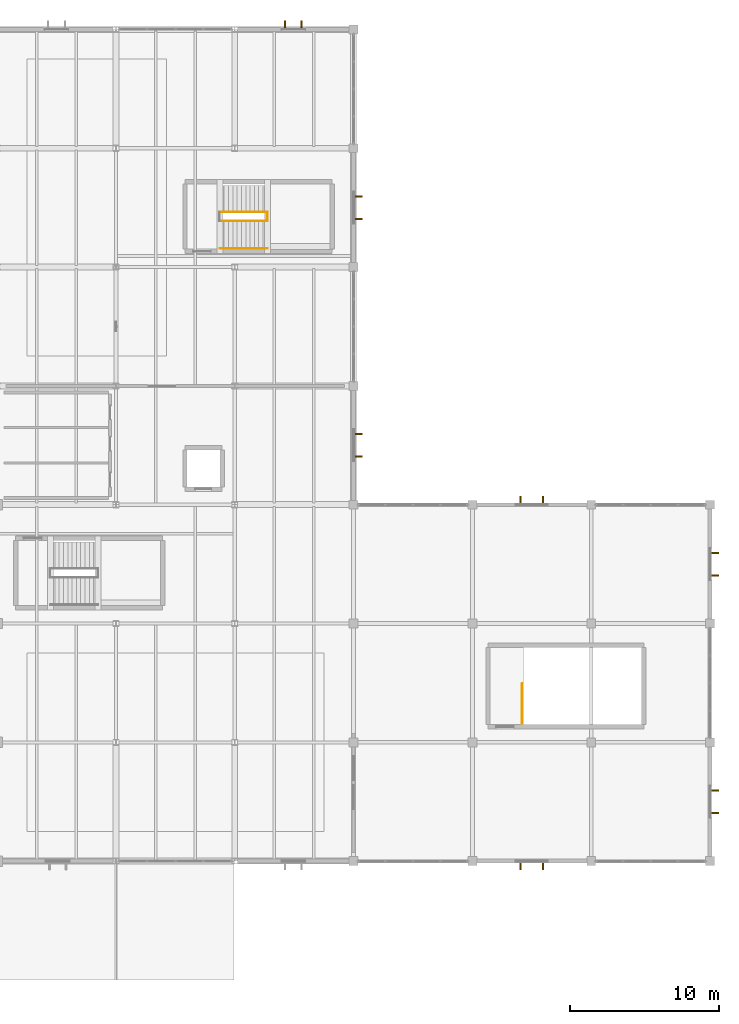
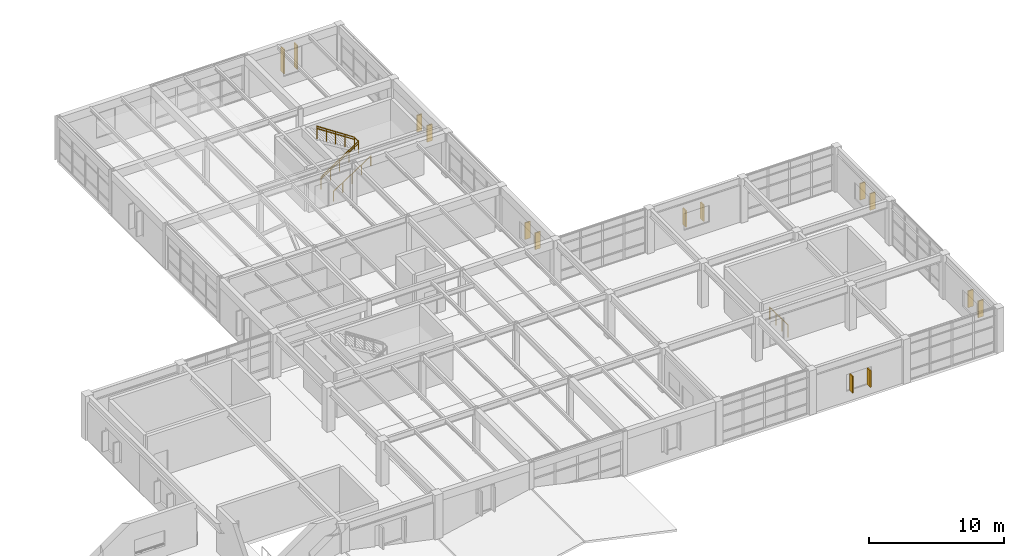
# One storey, part 48 of 48: 14 shading devices, 6 railings.
"""IFC4 building model written with IfcOpenShell, lengths in metres."""

from ifc_helpers import new_model, si_unit, direction, frame, origin, origin_2d, place, context, subcontext, project, spatial, rectangle, circle, extrude, material, type_object, element, save


model = new_model("IFC4")

# Units and contexts
model_context = context("Model", 3, precision=1e-05, world=origin(), true_north=direction((0.0, 1.0)))
body_context = subcontext(model_context, "Body", "Model", "MODEL_VIEW")
ifc_project = project(units=[si_unit("LENGTHUNIT", "METRE"), si_unit("AREAUNIT", "SQUARE_METRE"), si_unit("VOLUMEUNIT", "CUBIC_METRE"), si_unit("PLANEANGLEUNIT", "RADIAN"), si_unit("MASSUNIT", "GRAM", prefix="KILO")], contexts=[model_context])

# Site, building, storey
site_placement = place(None, origin())
site = spatial("IfcSite", under=ifc_project, at=site_placement, CompositionType="ELEMENT")
building_placement = place(site_placement, origin())
building = spatial("IfcBuilding", under=site, at=building_placement, Name="Varnela Railside Interchange", CompositionType="ELEMENT")
storey_placement = place(building_placement, frame((0.0, 0.0, 11.199951171875)))
storey = spatial("IfcBuildingStorey", under=building, at=storey_placement, Name="L02", CompositionType="ELEMENT", Elevation=11.199951171875)

# Railings
ifc_material_1 = material(Name="Steel AR 350 (350 MPa)", Category="steel")
railing_type_1 = type_object("IfcRailingType", Name="Stair & Ramp Pitch Handrail HR-01", PredefinedType="HANDRAIL", material=ifc_material_1)
railing_1_placement = place(storey_placement, frame((131.0, 81.10009765625, 0.0)))
element("IfcRailing", 1, at=railing_1_placement, inside=storey, type_object=railing_type_1, Name="Stair Handrail ST-E2 Flight 1 (RL-0358)", PredefinedType="HANDRAIL", context=body_context, shape_type="SweptSolid", body=[
    extrude(circle(Radius=0.02392578125, at=origin_2d()), frame((0.0, 0.0, 0.89599609375), z_axis=(0.835242474824, 0.0, 0.549881812983), x_axis=(0.0, 1.0, 0.0)), (0.0, 0.0, 1.0), 3.819091796875),
    extrude(circle(Radius=0.02099609375, at=origin_2d()), origin(), (0.0, 0.0, 1.0), 0.871826171875),
    extrude(circle(Radius=0.02099609375, at=origin_2d()), frame((0.79736328125, 0.0, 0.52490234375)), (0.0, 0.0, 1.0), 0.871826171875),
    extrude(circle(Radius=0.02099609375, at=origin_2d()), frame((1.594970703125, 0.0, 1.050048828125)), (0.0, 0.0, 1.0), 0.871826171875),
    extrude(circle(Radius=0.02099609375, at=origin_2d()), frame((2.392578125, 0.0, 1.5751953125)), (0.0, 0.0, 1.0), 0.871826171875),
    extrude(circle(Radius=0.02099609375, at=origin_2d()), frame((3.18994140625, 0.0, 2.10009765625)), (0.0, 0.0, 1.0), 0.871826171875),
])
railing_2_placement = place(storey_placement, frame((134.18994140625, 81.699951171875, 2.10009765625)))
element("IfcRailing", 2, at=railing_2_placement, inside=storey, type_object=railing_type_1, Name="Stair Handrail ST-E2 Flight 2 (RL-0359)", PredefinedType="HANDRAIL", context=body_context, shape_type="SweptSolid", body=[
    extrude(circle(Radius=0.02392578125, at=origin_2d()), frame((0.0, 0.0, 0.89599609375), z_axis=(-0.835271834381, 0.0, 0.549837214719), x_axis=(0.0, -1.0, 0.0)), (0.0, 0.0, 1.0), 3.819091796875),
    extrude(circle(Radius=0.02099609375, at=origin_2d()), origin(), (0.0, 0.0, 1.0), 0.871826171875),
    extrude(circle(Radius=0.02099609375, at=origin_2d()), frame((-0.79736328125, 0.0, 0.52490234375)), (0.0, 0.0, 1.0), 0.871826171875),
    extrude(circle(Radius=0.02099609375, at=origin_2d()), frame((-1.594970703125, 0.0, 1.0498046875)), (0.0, 0.0, 1.0), 0.871826171875),
    extrude(circle(Radius=0.02099609375, at=origin_2d()), frame((-2.392578125, 0.0, 1.574951171875)), (0.0, 0.0, 1.0), 0.871826171875),
    extrude(circle(Radius=0.02099609375, at=origin_2d()), frame((-3.18994140625, 0.0, 2.099853515625)), (0.0, 0.0, 1.0), 0.871826171875),
])
railing_type_2 = type_object("IfcRailingType", Name="Stair Well & Landing Guard GR-02", PredefinedType="GUARDRAIL", material=ifc_material_1)
railing_3_placement = place(storey_placement, frame((131.0, 81.10009765625, 0.0)))
element("IfcRailing", 3, at=railing_3_placement, inside=storey, type_object=railing_type_2, Name="Stair Guard ST-E2 Half-Landing (RL-0337)", PredefinedType="GUARDRAIL", context=body_context, shape_type="SweptSolid", body=[
    extrude(circle(Radius=0.02392578125, at=origin_2d()), frame((0.0, 0.0, 1.09619140625), z_axis=(0.835242474824, 0.0, 0.549881812983), x_axis=(0.0, 1.0, 0.0)), (0.0, 0.0, 1.0), 3.819091796875),
    extrude(circle(Radius=0.02392578125, at=origin_2d()), frame((3.18994140625, 0.0, 3.1962890625), z_axis=(0.0, 1.0, 0.0), x_axis=(-1.0, 0.0, 0.0)), (0.0, 0.0, 1.0), 0.599853515625),
    extrude(circle(Radius=0.02099609375, at=origin_2d()), origin(), (0.0, 0.0, 1.0), 1.072021484375),
    extrude(circle(Radius=0.02099609375, at=origin_2d()), frame((0.79736328125, 0.0, 0.52490234375)), (0.0, 0.0, 1.0), 1.072021484375),
    extrude(circle(Radius=0.02099609375, at=origin_2d()), frame((1.594970703125, 0.0, 1.050048828125)), (0.0, 0.0, 1.0), 1.072021484375),
    extrude(circle(Radius=0.02099609375, at=origin_2d()), frame((2.392578125, 0.0, 1.5751953125)), (0.0, 0.0, 1.0), 1.072021484375),
    extrude(circle(Radius=0.02099609375, at=origin_2d()), frame((3.18994140625, 0.0, 2.10009765625)), (0.0, 0.0, 1.0), 1.072021484375),
    extrude(circle(Radius=0.02099609375, at=origin_2d()), frame((3.18994140625, 0.599853515625, 2.10009765625)), (0.0, 0.0, 1.0), 1.072021484375),
])
railing_4_placement = place(storey_placement, frame((134.18994140625, 81.699951171875, 2.10009765625)))
element("IfcRailing", 4, at=railing_4_placement, inside=storey, type_object=railing_type_2, Name="Stair Guard ST-E2 Upper Flight (RL-0338)", PredefinedType="GUARDRAIL", context=body_context, shape_type="SweptSolid", body=[
    extrude(circle(Radius=0.02392578125, at=origin_2d()), frame((0.0, 0.0, 1.09619140625), z_axis=(-0.835271834381, 0.0, 0.549837214719), x_axis=(0.0, -1.0, 0.0)), (0.0, 0.0, 1.0), 3.819091796875),
    extrude(circle(Radius=0.02099609375, at=origin_2d()), origin(), (0.0, 0.0, 1.0), 1.072021484375),
    extrude(circle(Radius=0.02099609375, at=origin_2d()), frame((-0.79736328125, 0.0, 0.52490234375)), (0.0, 0.0, 1.0), 1.072021484375),
    extrude(circle(Radius=0.02099609375, at=origin_2d()), frame((-1.594970703125, 0.0, 1.0498046875)), (0.0, 0.0, 1.0), 1.072021484375),
    extrude(circle(Radius=0.02099609375, at=origin_2d()), frame((-2.392578125, 0.0, 1.574951171875)), (0.0, 0.0, 1.0), 1.072021484375),
    extrude(circle(Radius=0.02099609375, at=origin_2d()), frame((-3.18994140625, 0.0, 2.099853515625)), (0.0, 0.0, 1.0), 1.072021484375),
])
railing_5_placement = place(storey_placement, frame((151.360107421875, 47.260009765625, 0.0)))
element("IfcRailing", 5, at=railing_5_placement, inside=storey, type_object=railing_type_2, Name="Stair Well Arrival Guard ST-E3 on L02 (RL-0340)", PredefinedType="GUARDRAIL", context=body_context, shape_type="SweptSolid", body=[
    extrude(circle(Radius=0.02392578125, at=origin_2d()), frame((0.0, 0.0, 1.09619140625), z_axis=(0.0, 1.0, 0.0), x_axis=(-1.0, 0.0, 0.0)), (0.0, 0.0, 1.0), 2.68994140625),
    extrude(circle(Radius=0.02099609375, at=origin_2d()), origin(), (0.0, 0.0, 1.0), 1.072021484375),
    extrude(circle(Radius=0.02099609375, at=origin_2d()), frame((0.0, 0.896728515625, 0.0)), (0.0, 0.0, 1.0), 1.072021484375),
    extrude(circle(Radius=0.02099609375, at=origin_2d()), frame((0.0, 1.793212890625, 0.0)), (0.0, 0.0, 1.0), 1.072021484375),
    extrude(circle(Radius=0.02099609375, at=origin_2d()), frame((0.0, 2.68994140625, 0.0)), (0.0, 0.0, 1.0), 1.072021484375),
])

# Shading devices
ifc_material_2 = material(Name="Concrete C40 precast", Category="concrete")
shading_device_type = type_object("IfcShadingDeviceType", Name="Terracotta Vertical Sun Fin BS-02", PredefinedType="USERDEFINED", material=ifc_material_2)
for number, where, z_axis, x_axis, name in (
    (6, (135.388427734375, 94.35009765625, 0.9501953125), (0.0, 0.0, 1.0), (0.0, 1.0, 0.0), "Terracotta Vertical Sun Fin BS-02 (L02)"),
    (7, (136.508544921875, 94.35009765625, 0.9501953125), (0.0, 0.0, 1.0), (0.0, 1.0, 0.0), "Terracotta Vertical Sun Fin BS-02 (L02)"),
):
    element("IfcShadingDevice", number, at=place(storey_placement, frame(where, z_axis=z_axis, x_axis=x_axis)), inside=storey, type_object=shading_device_type, Name=name, ObjectType="FIN", PredefinedType="USERDEFINED", context=body_context, shape_type="SweptSolid", body=[
        extrude(rectangle(XDim=0.449951171875, YDim=0.10009765625, at=origin_2d()), origin(), (0.0, 0.0, 1.0), 2.199951171875),
    ])
for number, where, z_axis, x_axis, name in (
    (8, (140.35009765625, 82.75244140625, 0.949951171875), (0.0, 0.0, 1.0), (1.0, 0.0, 0.0), "Terracotta Vertical Sun Fin BS-02 (L02)"),
    (9, (140.35009765625, 81.24755859375, 0.949951171875), (0.0, 0.0, 1.0), (1.0, 0.0, 0.0), "Terracotta Vertical Sun Fin BS-02 (L02)"),
    (10, (140.35009765625, 66.75244140625, 0.949951171875), (0.0, 0.0, 1.0), (1.0, 0.0, 0.0), "Terracotta Vertical Sun Fin BS-02 (L02)"),
    (11, (140.35009765625, 65.24755859375, 0.949951171875), (0.0, 0.0, 1.0), (1.0, 0.0, 0.0), "Terracotta Vertical Sun Fin BS-02 (L02)"),
    (12, (151.24755859375, 62.35009765625, 0.949951171875), (0.0, 0.0, 1.0), (0.0, 1.0, 0.0), "Terracotta Vertical Sun Fin BS-02 (L02)"),
    (13, (152.75244140625, 62.35009765625, 0.949951171875), (0.0, 0.0, 1.0), (0.0, 1.0, 0.0), "Terracotta Vertical Sun Fin BS-02 (L02)"),
    (14, (164.35009765625, 58.75244140625, 0.949951171875), (0.0, 0.0, 1.0), (1.0, 0.0, 0.0), "Terracotta Vertical Sun Fin BS-02 (L02)"),
    (15, (164.35009765625, 57.24755859375, 0.949951171875), (0.0, 0.0, 1.0), (1.0, 0.0, 0.0), "Terracotta Vertical Sun Fin BS-02 (L02)"),
    (16, (164.35009765625, 42.75244140625, 0.949951171875), (0.0, 0.0, 1.0), (1.0, 0.0, 0.0), "Terracotta Vertical Sun Fin BS-02 (L02)"),
    (17, (164.35009765625, 41.24755859375, 0.949951171875), (0.0, 0.0, 1.0), (1.0, 0.0, 0.0), "Terracotta Vertical Sun Fin BS-02 (L02)"),
    (18, (152.75244140625, 37.64990234375, 0.949951171875), (0.0, 0.0, 1.0), (0.0, -1.0, 0.0), "Terracotta Vertical Sun Fin BS-02 (L02)"),
    (19, (151.24755859375, 37.64990234375, 0.949951171875), (0.0, 0.0, 1.0), (0.0, -1.0, 0.0), "Terracotta Vertical Sun Fin BS-02 (L02)"),
):
    element("IfcShadingDevice", number, at=place(storey_placement, frame(where, z_axis=z_axis, x_axis=x_axis)), inside=storey, type_object=shading_device_type, Name=name, ObjectType="FIN", PredefinedType="USERDEFINED", context=body_context, shape_type="SweptSolid", body=[
        extrude(rectangle(XDim=0.449951171875, YDim=0.10009765625, at=origin_2d()), origin(), (0.0, 0.0, 1.0), 1.5),
    ])

# Railing
railing_type_3 = type_object("IfcRailingType", Name="Wall-Mounted Stair Handrail HR-02", PredefinedType="HANDRAIL", material=ifc_material_1)
railing_6_placement = place(storey_placement, frame((131.0, 79.260009765625, 0.0)))
element("IfcRailing", 20, at=railing_6_placement, inside=storey, type_object=railing_type_3, Name="Wall Handrail ST-E2 Flight 1 (RL-0369)", PredefinedType="HANDRAIL", context=body_context, shape_type="SweptSolid", body=[
    extrude(circle(Radius=0.02392578125, at=origin_2d()), frame((0.0, 0.0, 0.89599609375), z_axis=(0.835242474824, 0.0, 0.549881812983), x_axis=(0.0, 1.0, 0.0)), (0.0, 0.0, 1.0), 3.819091796875),
    extrude(circle(Radius=0.02099609375, at=origin_2d()), origin(), (0.0, 0.0, 1.0), 0.871826171875),
    extrude(circle(Radius=0.02099609375, at=origin_2d()), frame((0.79736328125, 0.0, 0.52490234375)), (0.0, 0.0, 1.0), 0.871826171875),
    extrude(circle(Radius=0.02099609375, at=origin_2d()), frame((1.594970703125, 0.0, 1.050048828125)), (0.0, 0.0, 1.0), 0.871826171875),
    extrude(circle(Radius=0.02099609375, at=origin_2d()), frame((2.392578125, 0.0, 1.5751953125)), (0.0, 0.0, 1.0), 0.871826171875),
    extrude(circle(Radius=0.02099609375, at=origin_2d()), frame((3.18994140625, 0.0, 2.10009765625)), (0.0, 0.0, 1.0), 0.871826171875),
])

save(model, "model.ifc")
